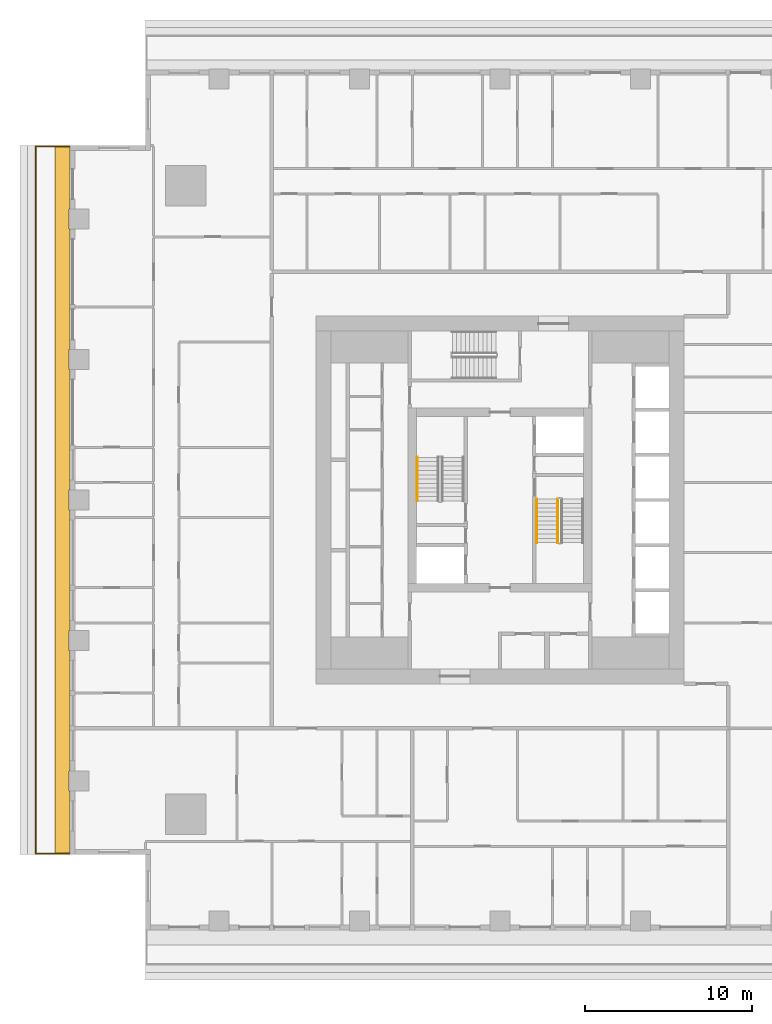
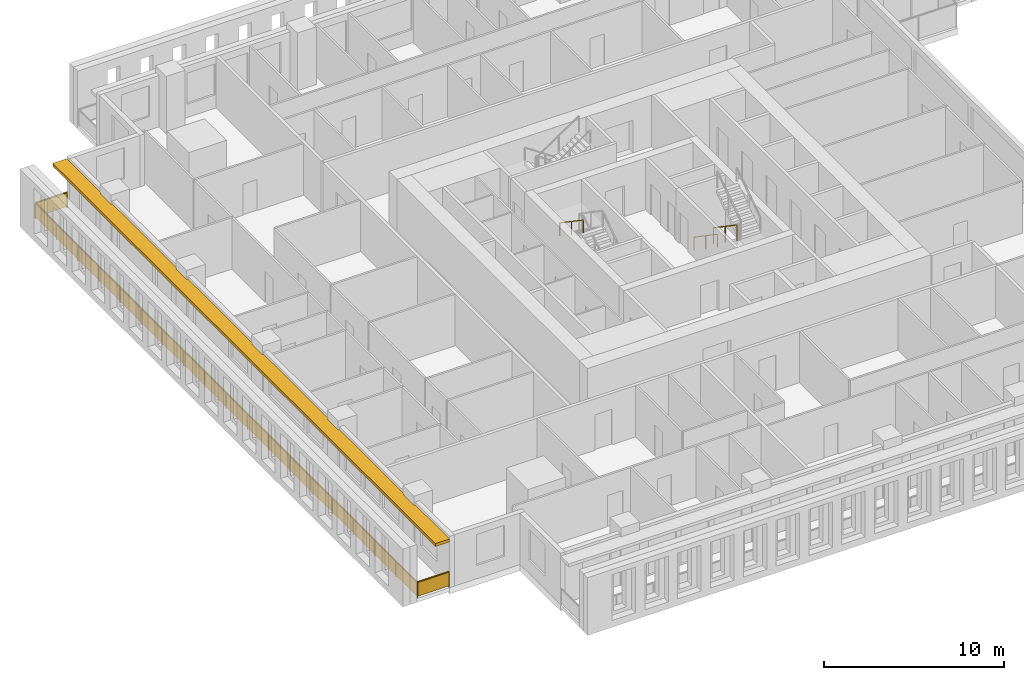
# One storey, part 11 of 15: 4 railings, 1 shading device.
"""IFC4 building model written with IfcOpenShell, lengths in metres."""

from ifc_helpers import new_model, si_unit, direction, frame, origin, origin_2d, place, context, subcontext, project, spatial, polyline, rectangle, outline, extrude, material, layer, layer_set, type_object, element, save


model = new_model("IFC4")

# Units and contexts
model_context = context("Model", 3, precision=1e-05, world=origin(), true_north=direction((0.0, 1.0)))
body_context = subcontext(model_context, "Body", "Model", "MODEL_VIEW")
ifc_project = project(units=[si_unit("LENGTHUNIT", "METRE"), si_unit("AREAUNIT", "SQUARE_METRE"), si_unit("VOLUMEUNIT", "CUBIC_METRE"), si_unit("PLANEANGLEUNIT", "RADIAN"), si_unit("MASSUNIT", "GRAM", prefix="KILO")], contexts=[model_context])

# Site, building, storey
site_placement = place(None, origin())
site = spatial("IfcSite", under=ifc_project, at=site_placement, CompositionType="ELEMENT")
building_placement = place(site_placement, origin())
building = spatial("IfcBuilding", under=site, at=building_placement, Name="Khepri Terraces", CompositionType="ELEMENT")
storey_placement = place(building_placement, frame((0.0, 0.0, 227.39990234375)))
storey = spatial("IfcBuildingStorey", under=building, at=storey_placement, Name="L54", CompositionType="ELEMENT", Elevation=227.39990234375)

# Railings
ifc_material_1 = material(Name="Stainless steel grade 316", Category="steel")
railing_type_1 = type_object("IfcRailingType", Name="GRD-BAL-1100", PredefinedType="GUARDRAIL", material=ifc_material_1)
railing_1_placement = place(storey_placement, frame((-25.719970703125, 21.169921875, 0.0)))
element("IfcRailing", 1, at=railing_1_placement, inside=storey, type_object=railing_type_1, Name="Balcony guard L54 W", PredefinedType="GUARDRAIL", context=body_context, shape_type="SweptSolid", body=[
    extrude(rectangle(XDim=0.050048828125, YDim=0.06005859375, at=origin_2d()), frame((0.0, 0.0, 1.070068359375), z_axis=(-1.0, 0.0, 0.0), x_axis=(0.0, -1.0, 0.0)), (0.0, 0.0, 1.0), 2.050048828125),
    extrude(rectangle(XDim=2.0, YDim=0.011962890625, at=origin_2d()), frame((-1.02490234375, 0.0, 0.10009765625), z_axis=(0.0, 0.0, 1.0), x_axis=(-1.0, 0.0, 0.0)), (0.0, 0.0, 1.0), 0.93994140625),
    extrude(rectangle(XDim=0.050048828125, YDim=0.06005859375, at=origin_2d()), frame((-2.050048828125, 0.0, 1.070068359375), z_axis=(0.0, -1.0, 0.0), x_axis=(1.0, 0.0, 0.0)), (0.0, 0.0, 1.0), 42.33984375),
    extrude(rectangle(XDim=2.30224609375, YDim=0.011962890625, at=origin_2d()), frame((-2.050048828125, -1.176025390625, 0.10009765625), z_axis=(0.0, 0.0, 1.0), x_axis=(0.0, -1.0, 0.0)), (0.0, 0.0, 1.0), 0.93994140625),
    extrude(rectangle(XDim=2.30224609375, YDim=0.011962890625, at=origin_2d()), frame((-2.050048828125, -3.5283203125, 0.10009765625), z_axis=(0.0, 0.0, 1.0), x_axis=(0.0, -1.0, 0.0)), (0.0, 0.0, 1.0), 0.93994140625),
    extrude(rectangle(XDim=2.30224609375, YDim=0.011962890625, at=origin_2d()), frame((-2.050048828125, -5.880615234375, 0.10009765625), z_axis=(0.0, 0.0, 1.0), x_axis=(0.0, -1.0, 0.0)), (0.0, 0.0, 1.0), 0.93994140625),
    extrude(rectangle(XDim=2.30224609375, YDim=0.011962890625, at=origin_2d()), frame((-2.050048828125, -8.232666015625, 0.10009765625), z_axis=(0.0, 0.0, 1.0), x_axis=(0.0, -1.0, 0.0)), (0.0, 0.0, 1.0), 0.93994140625),
    extrude(rectangle(XDim=2.30224609375, YDim=0.011962890625, at=origin_2d()), frame((-2.050048828125, -10.5849609375, 0.10009765625), z_axis=(0.0, 0.0, 1.0), x_axis=(0.0, -1.0, 0.0)), (0.0, 0.0, 1.0), 0.93994140625),
    extrude(rectangle(XDim=2.30224609375, YDim=0.011962890625, at=origin_2d()), frame((-2.050048828125, -12.937255859375, 0.10009765625), z_axis=(0.0, 0.0, 1.0), x_axis=(0.0, -1.0, 0.0)), (0.0, 0.0, 1.0), 0.93994140625),
    extrude(rectangle(XDim=2.30224609375, YDim=0.011962890625, at=origin_2d()), frame((-2.050048828125, -15.289306640625, 0.10009765625), z_axis=(0.0, 0.0, 1.0), x_axis=(0.0, -1.0, 0.0)), (0.0, 0.0, 1.0), 0.93994140625),
    extrude(rectangle(XDim=2.30224609375, YDim=0.011962890625, at=origin_2d()), frame((-2.050048828125, -17.6416015625, 0.10009765625), z_axis=(0.0, 0.0, 1.0), x_axis=(0.0, -1.0, 0.0)), (0.0, 0.0, 1.0), 0.93994140625),
    extrude(rectangle(XDim=2.30224609375, YDim=0.011962890625, at=origin_2d()), frame((-2.050048828125, -19.993896484375, 0.10009765625), z_axis=(0.0, 0.0, 1.0), x_axis=(0.0, -1.0, 0.0)), (0.0, 0.0, 1.0), 0.93994140625),
    extrude(rectangle(XDim=2.30224609375, YDim=0.011962890625, at=origin_2d()), frame((-2.050048828125, -22.345947265625, 0.10009765625), z_axis=(0.0, 0.0, 1.0), x_axis=(0.0, -1.0, 0.0)), (0.0, 0.0, 1.0), 0.93994140625),
    extrude(rectangle(XDim=2.30224609375, YDim=0.011962890625, at=origin_2d()), frame((-2.050048828125, -24.6982421875, 0.10009765625), z_axis=(0.0, 0.0, 1.0), x_axis=(0.0, -1.0, 0.0)), (0.0, 0.0, 1.0), 0.93994140625),
    extrude(rectangle(XDim=2.30224609375, YDim=0.011962890625, at=origin_2d()), frame((-2.050048828125, -27.050537109375, 0.10009765625), z_axis=(0.0, 0.0, 1.0), x_axis=(0.0, -1.0, 0.0)), (0.0, 0.0, 1.0), 0.93994140625),
    extrude(rectangle(XDim=2.30224609375, YDim=0.011962890625, at=origin_2d()), frame((-2.050048828125, -29.402587890625, 0.10009765625), z_axis=(0.0, 0.0, 1.0), x_axis=(0.0, -1.0, 0.0)), (0.0, 0.0, 1.0), 0.93994140625),
    extrude(rectangle(XDim=2.30224609375, YDim=0.011962890625, at=origin_2d()), frame((-2.050048828125, -31.7548828125, 0.10009765625), z_axis=(0.0, 0.0, 1.0), x_axis=(0.0, -1.0, 0.0)), (0.0, 0.0, 1.0), 0.93994140625),
    extrude(rectangle(XDim=2.30224609375, YDim=0.011962890625, at=origin_2d()), frame((-2.050048828125, -34.107177734375, 0.10009765625), z_axis=(0.0, 0.0, 1.0), x_axis=(0.0, -1.0, 0.0)), (0.0, 0.0, 1.0), 0.93994140625),
    extrude(rectangle(XDim=2.30224609375, YDim=0.011962890625, at=origin_2d()), frame((-2.050048828125, -36.459228515625, 0.10009765625), z_axis=(0.0, 0.0, 1.0), x_axis=(0.0, -1.0, 0.0)), (0.0, 0.0, 1.0), 0.93994140625),
    extrude(rectangle(XDim=2.30224609375, YDim=0.011962890625, at=origin_2d()), frame((-2.050048828125, -38.8115234375, 0.10009765625), z_axis=(0.0, 0.0, 1.0), x_axis=(0.0, -1.0, 0.0)), (0.0, 0.0, 1.0), 0.93994140625),
    extrude(rectangle(XDim=2.30224609375, YDim=0.011962890625, at=origin_2d()), frame((-2.050048828125, -41.163818359375, 0.10009765625), z_axis=(0.0, 0.0, 1.0), x_axis=(0.0, -1.0, 0.0)), (0.0, 0.0, 1.0), 0.93994140625),
    extrude(rectangle(XDim=0.050048828125, YDim=0.06005859375, at=origin_2d()), frame((-2.050048828125, -42.33984375, 1.070068359375), z_axis=(1.0, 0.0, 0.0), x_axis=(0.0, 1.0, 0.0)), (0.0, 0.0, 1.0), 2.050048828125),
    extrude(rectangle(XDim=2.0, YDim=0.011962890625, at=origin_2d()), frame((-1.02490234375, -42.33984375, 0.10009765625), z_axis=(0.0, 0.0, 1.0), x_axis=(1.0, 0.0, 0.0)), (0.0, 0.0, 1.0), 0.93994140625),
    extrude(rectangle(XDim=0.050048828125, YDim=0.050048828125, at=origin_2d()), origin(), (0.0, 0.0, 1.0), 1.0400390625),
    extrude(rectangle(XDim=0.050048828125, YDim=0.050048828125, at=origin_2d()), frame((-2.050048828125, 0.0, 0.0)), (0.0, 0.0, 1.0), 1.0400390625),
    extrude(rectangle(XDim=0.050048828125, YDim=0.050048828125, at=origin_2d()), frame((-2.050048828125, -2.352294921875, 0.0)), (0.0, 0.0, 1.0), 1.0400390625),
    extrude(rectangle(XDim=0.050048828125, YDim=0.050048828125, at=origin_2d()), frame((-2.050048828125, -4.704345703125, 0.0)), (0.0, 0.0, 1.0), 1.0400390625),
    extrude(rectangle(XDim=0.050048828125, YDim=0.050048828125, at=origin_2d()), frame((-2.050048828125, -7.056640625, 0.0)), (0.0, 0.0, 1.0), 1.0400390625),
    extrude(rectangle(XDim=0.050048828125, YDim=0.050048828125, at=origin_2d()), frame((-2.050048828125, -9.408935546875, 0.0)), (0.0, 0.0, 1.0), 1.0400390625),
    extrude(rectangle(XDim=0.050048828125, YDim=0.050048828125, at=origin_2d()), frame((-2.050048828125, -11.760986328125, 0.0)), (0.0, 0.0, 1.0), 1.0400390625),
    extrude(rectangle(XDim=0.050048828125, YDim=0.050048828125, at=origin_2d()), frame((-2.050048828125, -14.11328125, 0.0)), (0.0, 0.0, 1.0), 1.0400390625),
    extrude(rectangle(XDim=0.050048828125, YDim=0.050048828125, at=origin_2d()), frame((-2.050048828125, -16.465576171875, 0.0)), (0.0, 0.0, 1.0), 1.0400390625),
    extrude(rectangle(XDim=0.050048828125, YDim=0.050048828125, at=origin_2d()), frame((-2.050048828125, -18.817626953125, 0.0)), (0.0, 0.0, 1.0), 1.0400390625),
    extrude(rectangle(XDim=0.050048828125, YDim=0.050048828125, at=origin_2d()), frame((-2.050048828125, -21.169921875, 0.0)), (0.0, 0.0, 1.0), 1.0400390625),
    extrude(rectangle(XDim=0.050048828125, YDim=0.050048828125, at=origin_2d()), frame((-2.050048828125, -23.522216796875, 0.0)), (0.0, 0.0, 1.0), 1.0400390625),
    extrude(rectangle(XDim=0.050048828125, YDim=0.050048828125, at=origin_2d()), frame((-2.050048828125, -25.874267578125, 0.0)), (0.0, 0.0, 1.0), 1.0400390625),
    extrude(rectangle(XDim=0.050048828125, YDim=0.050048828125, at=origin_2d()), frame((-2.050048828125, -28.2265625, 0.0)), (0.0, 0.0, 1.0), 1.0400390625),
    extrude(rectangle(XDim=0.050048828125, YDim=0.050048828125, at=origin_2d()), frame((-2.050048828125, -30.578857421875, 0.0)), (0.0, 0.0, 1.0), 1.0400390625),
    extrude(rectangle(XDim=0.050048828125, YDim=0.050048828125, at=origin_2d()), frame((-2.050048828125, -32.930908203125, 0.0)), (0.0, 0.0, 1.0), 1.0400390625),
    extrude(rectangle(XDim=0.050048828125, YDim=0.050048828125, at=origin_2d()), frame((-2.050048828125, -35.283203125, 0.0)), (0.0, 0.0, 1.0), 1.0400390625),
    extrude(rectangle(XDim=0.050048828125, YDim=0.050048828125, at=origin_2d()), frame((-2.050048828125, -37.635498046875, 0.0)), (0.0, 0.0, 1.0), 1.0400390625),
    extrude(rectangle(XDim=0.050048828125, YDim=0.050048828125, at=origin_2d()), frame((-2.050048828125, -39.987548828125, 0.0)), (0.0, 0.0, 1.0), 1.0400390625),
    extrude(rectangle(XDim=0.050048828125, YDim=0.050048828125, at=origin_2d()), frame((-2.050048828125, -42.33984375, 0.0)), (0.0, 0.0, 1.0), 1.0400390625),
    extrude(rectangle(XDim=0.050048828125, YDim=0.050048828125, at=origin_2d()), frame((0.0, -42.33984375, 0.0)), (0.0, 0.0, 1.0), 1.0400390625),
])
ifc_material_2 = material(Name="Stainless steel 316", Category="steel")
railing_type_2 = type_object("IfcRailingType", Name="RL-CORE-GUARD", PredefinedType="GUARDRAIL", material=ifc_material_2)
railing_2_placement = place(storey_placement, frame((3.449951171875, 0.050048828125, 0.177490234375)))
element("IfcRailing", 2, at=railing_2_placement, inside=storey, type_object=railing_type_2, Name="L54 ST-2 stair guard 1", PredefinedType="GUARDRAIL", context=body_context, shape_type="SweptSolid", body=[
    extrude(rectangle(XDim=0.050048828125, YDim=0.06005859375, at=origin_2d()), frame((0.0, 0.0, 1.070068359375), z_axis=(0.0, -0.826240473404, 0.563317565952), x_axis=(1.0, 0.0, 0.0)), (0.0, 0.0, 1.0), 3.14697265625),
    extrude(rectangle(XDim=0.050048828125, YDim=0.050048828125, at=origin_2d()), origin(), (0.0, 0.0, 1.0), 1.0400390625),
    extrude(rectangle(XDim=0.050048828125, YDim=0.050048828125, at=origin_2d()), frame((0.0, -1.300048828125, 0.88623046875)), (0.0, 0.0, 1.0), 1.0400390625),
    extrude(rectangle(XDim=0.050048828125, YDim=0.050048828125, at=origin_2d()), frame((0.0, -2.60009765625, 1.772705078125)), (0.0, 0.0, 1.0), 1.0400390625),
])
railing_type_3 = type_object("IfcRailingType", Name="RL-CORE-HANDRAIL", PredefinedType="HANDRAIL", material=ifc_material_2)
for number, where, name in (
    (3, (-4.949951171875, 2.550048828125, 2.12744140625), "L54 ST-1 stair handrail 2"),
    (4, (2.199951171875, 0.050048828125, 0.177490234375), "L54 ST-2 stair handrail 1"),
):
    element("IfcRailing", number, at=place(storey_placement, frame(where)), inside=storey, type_object=railing_type_3, Name=name, PredefinedType="HANDRAIL", context=body_context, shape_type="SweptSolid", body=[
        extrude(rectangle(XDim=0.050048828125, YDim=0.050048828125, at=origin_2d()), frame((0.0, 0.0, 0.875), z_axis=(0.0, -0.826240473404, 0.563317565952), x_axis=(1.0, 0.0, 0.0)), (0.0, 0.0, 1.0), 3.14697265625),
        extrude(rectangle(XDim=0.050048828125, YDim=0.050048828125, at=origin_2d()), origin(), (0.0, 0.0, 1.0), 0.849853515625),
        extrude(rectangle(XDim=0.050048828125, YDim=0.050048828125, at=origin_2d()), frame((0.0, -1.300048828125, 0.88623046875)), (0.0, 0.0, 1.0), 0.849853515625),
        extrude(rectangle(XDim=0.050048828125, YDim=0.050048828125, at=origin_2d()), frame((0.0, -2.60009765625, 1.772705078125)), (0.0, 0.0, 1.0), 0.849853515625),
    ])

# Shading device
ifc_material_3 = material(Name="Precast concrete C50/60 warm stone", Category="masonry")
ifc_layer = layer(ifc_material_3, 0.199951171875, Name="Precast concrete C50/60 warm stone", Category="masonry")
ifc_layer_set = layer_set([ifc_layer], Name="Precast concrete C50/60 warm stone")
shading_device_type = type_object("IfcShadingDeviceType", Name="SSH-BAND-STONE-200", PredefinedType="USERDEFINED", material=ifc_layer_set)
shading_device_placement = place(storey_placement, frame((0.0, 0.0, 3.10009765625)))
element("IfcShadingDevice", 5, at=shading_device_placement, inside=storey, type_object=shading_device_type, Name="Sunshade band L54 W", ObjectType="SUNSHADE", PredefinedType="USERDEFINED", context=body_context, shape_type="SweptSolid", body=[
    extrude(outline(polyline([(-25.719970703125, 17.39990234375), (-25.719970703125, 21.219970703125), (-26.6201171875, 21.219970703125), (-26.6201171875, -21.219970703125), (-25.719970703125, -21.219970703125), (-25.719970703125, -17.39990234375), (-25.800048828125, -17.39990234375), (-25.800048828125, -16.199951171875), (-25.719970703125, -16.199951171875), (-25.719970703125, -9.0), (-25.800048828125, -9.0), (-25.800048828125, -7.800048828125), (-25.719970703125, -7.800048828125), (-25.719970703125, -0.60009765625), (-25.800048828125, -0.60009765625), (-25.800048828125, 0.60009765625), (-25.719970703125, 0.60009765625), (-25.719970703125, 7.800048828125), (-25.800048828125, 7.800048828125), (-25.800048828125, 9.0), (-25.719970703125, 9.0), (-25.719970703125, 16.199951171875), (-25.800048828125, 16.199951171875), (-25.800048828125, 17.39990234375), (-25.719970703125, 17.39990234375)])), origin(), (0.0, 0.0, 1.0), 0.199951171875),
])

save(model, "model.ifc")
